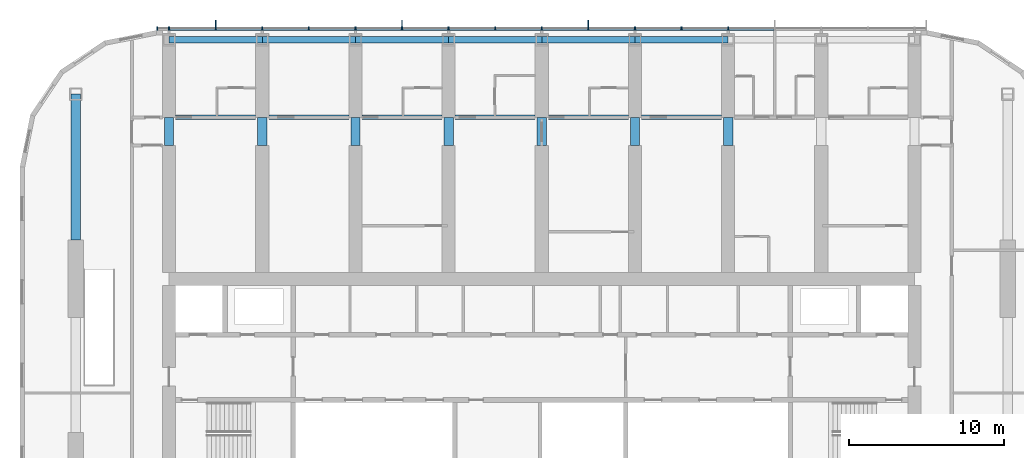
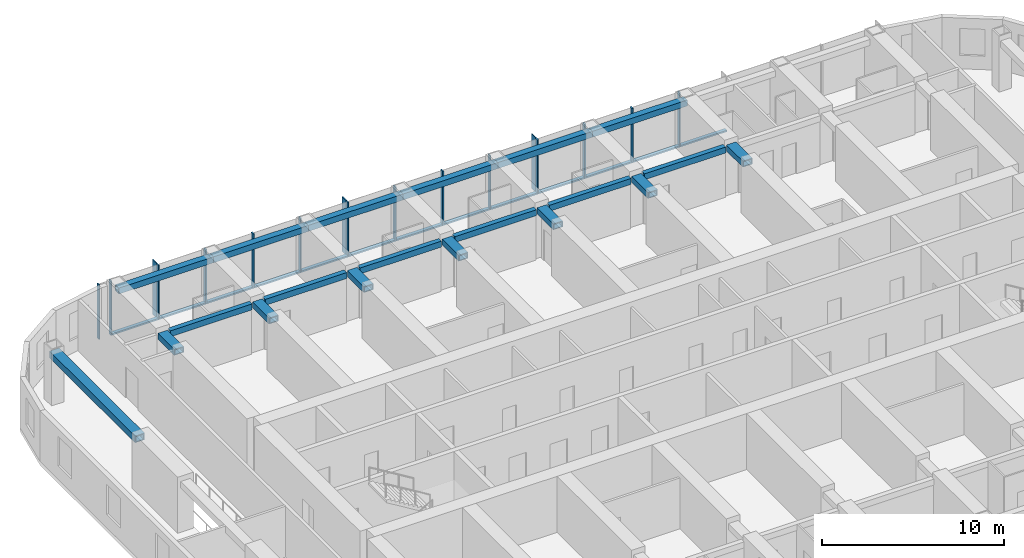
# One storey, part 4 of 22: 30 members, 20 beams, 1 element without a shape of its own.
"""IFC4 building model written with IfcOpenShell, lengths in metres."""

from ifc_helpers import new_model, si_unit, direction, frame, origin, origin_2d, place, context, subcontext, project, spatial, rectangle, hollow_rectangle, extrude, material, material_profile, profile_set, type_object, element, aggregate, save


model = new_model("IFC4")

# Units and contexts
model_context = context("Model", 3, precision=1e-05, world=origin(), true_north=direction((0.0, 1.0)))
body_context = subcontext(model_context, "Body", "Model", "MODEL_VIEW")
ifc_project = project(units=[si_unit("LENGTHUNIT", "METRE"), si_unit("AREAUNIT", "SQUARE_METRE"), si_unit("VOLUMEUNIT", "CUBIC_METRE"), si_unit("PLANEANGLEUNIT", "RADIAN"), si_unit("MASSUNIT", "GRAM", prefix="KILO")], contexts=[model_context])

# Site, building, storey
site_placement = place(None, origin())
site = spatial("IfcSite", under=ifc_project, at=site_placement, CompositionType="ELEMENT")
building_placement = place(site_placement, origin())
building = spatial("IfcBuilding", under=site, at=building_placement, Name="Orbita Commons", CompositionType="ELEMENT")
storey_placement = place(building_placement, frame((0.0, 0.0, 197.35009765625)))
storey = spatial("IfcBuildingStorey", under=building, at=storey_placement, Name="L49", CompositionType="ELEMENT", Elevation=197.35009765625)

# Curtain wall, members
ifc_material_1 = material(Name="Anodised aluminium frame, pale silver", Category="aluminium")
curtain_wall_type = type_object("IfcCurtainWallType", Name="Unitised curtain wall CW-U, full-height vision", PredefinedType="NOTDEFINED", material=ifc_material_1)
curtain_wall_placement = place(storey_placement, origin())
curtain_wall = element("IfcCurtainWall", 1, at=curtain_wall_placement, inside=storey, type_object=curtain_wall_type, Name="Curtain wall north L49", PredefinedType="NOTDEFINED")
ifc_material_2 = material(Name="Anodised aluminium, pale silver", Category="aluminium")
ifc_material_profile_1 = material_profile(ifc_material_2, rectangle(XDim=0.080078125, YDim=0.219970703125, at=origin_2d()), Name="AL 80x220")
ifc_profile_set_1 = profile_set([ifc_material_profile_1], Name="Anodised aluminium, pale silver")
member_type_1 = type_object("IfcMemberType", Name="Curtain wall mullion 80x220", PredefinedType="MULLION", material=ifc_profile_set_1)
member_1_placement = place(storey_placement, frame((54.0, 54.31005859375, -0.25), z_axis=(0.0, 0.0, 1.0), x_axis=(-1.0, 0.0, 0.0)))
member_1 = element("IfcMember", 2, at=member_1_placement, type_object=member_type_1, Name="Mullion 6 CW-L49-N", PredefinedType="MULLION", context=body_context, shape_type="SweptSolid", body=[
    extrude(rectangle(XDim=0.080078125, YDim=0.219970703125, at=origin_2d()), origin(), (0.0, 0.0, 1.0), 3.64990234375),
])
member_2_placement = place(storey_placement, frame((51.0, 54.31005859375, -0.25), z_axis=(0.0, 0.0, 1.0), x_axis=(-1.0, 0.0, 0.0)))
member_2 = element("IfcMember", 3, at=member_2_placement, type_object=member_type_1, Name="Mullion 7 CW-L49-N", PredefinedType="MULLION", context=body_context, shape_type="SweptSolid", body=[
    extrude(rectangle(XDim=0.080078125, YDim=0.219970703125, at=origin_2d()), origin(), (0.0, 0.0, 1.0), 3.64990234375),
])
member_3_placement = place(storey_placement, frame((48.0, 54.31005859375, -0.25), z_axis=(0.0, 0.0, 1.0), x_axis=(-1.0, 0.0, 0.0)))
member_3 = element("IfcMember", 4, at=member_3_placement, type_object=member_type_1, Name="Mullion 8 CW-L49-N", PredefinedType="MULLION", context=body_context, shape_type="SweptSolid", body=[
    extrude(rectangle(XDim=0.080078125, YDim=0.219970703125, at=origin_2d()), origin(), (0.0, 0.0, 1.0), 3.64990234375),
])
member_4_placement = place(storey_placement, frame((45.0, 54.31005859375, -0.25), z_axis=(0.0, 0.0, 1.0), x_axis=(-1.0, 0.0, 0.0)))
member_4 = element("IfcMember", 5, at=member_4_placement, type_object=member_type_1, Name="Mullion 9 CW-L49-N", PredefinedType="MULLION", context=body_context, shape_type="SweptSolid", body=[
    extrude(rectangle(XDim=0.080078125, YDim=0.219970703125, at=origin_2d()), origin(), (0.0, 0.0, 1.0), 3.64990234375),
])
member_5_placement = place(storey_placement, frame((42.0, 54.31005859375, -0.25), z_axis=(0.0, 0.0, 1.0), x_axis=(-1.0, 0.0, 0.0)))
member_5 = element("IfcMember", 6, at=member_5_placement, type_object=member_type_1, Name="Mullion 10 CW-L49-N", PredefinedType="MULLION", context=body_context, shape_type="SweptSolid", body=[
    extrude(rectangle(XDim=0.080078125, YDim=0.219970703125, at=origin_2d()), origin(), (0.0, 0.0, 1.0), 3.64990234375),
])
member_6_placement = place(storey_placement, frame((39.0, 54.31005859375, -0.25), z_axis=(0.0, 0.0, 1.0), x_axis=(-1.0, 0.0, 0.0)))
member_6 = element("IfcMember", 7, at=member_6_placement, type_object=member_type_1, Name="Mullion 11 CW-L49-N", PredefinedType="MULLION", context=body_context, shape_type="SweptSolid", body=[
    extrude(rectangle(XDim=0.080078125, YDim=0.219970703125, at=origin_2d()), origin(), (0.0, 0.0, 1.0), 3.64990234375),
])
member_7_placement = place(storey_placement, frame((36.0, 54.31005859375, -0.25), z_axis=(0.0, 0.0, 1.0), x_axis=(-1.0, 0.0, 0.0)))
member_7 = element("IfcMember", 8, at=member_7_placement, type_object=member_type_1, Name="Mullion 12 CW-L49-N", PredefinedType="MULLION", context=body_context, shape_type="SweptSolid", body=[
    extrude(rectangle(XDim=0.080078125, YDim=0.219970703125, at=origin_2d()), origin(), (0.0, 0.0, 1.0), 3.64990234375),
])
member_8_placement = place(storey_placement, frame((33.0, 54.31005859375, -0.25), z_axis=(0.0, 0.0, 1.0), x_axis=(-1.0, 0.0, 0.0)))
member_8 = element("IfcMember", 9, at=member_8_placement, type_object=member_type_1, Name="Mullion 13 CW-L49-N", PredefinedType="MULLION", context=body_context, shape_type="SweptSolid", body=[
    extrude(rectangle(XDim=0.080078125, YDim=0.219970703125, at=origin_2d()), origin(), (0.0, 0.0, 1.0), 3.64990234375),
])
member_9_placement = place(storey_placement, frame((30.0, 54.31005859375, -0.25), z_axis=(0.0, 0.0, 1.0), x_axis=(-1.0, 0.0, 0.0)))
member_9 = element("IfcMember", 10, at=member_9_placement, type_object=member_type_1, Name="Mullion 14 CW-L49-N", PredefinedType="MULLION", context=body_context, shape_type="SweptSolid", body=[
    extrude(rectangle(XDim=0.080078125, YDim=0.219970703125, at=origin_2d()), origin(), (0.0, 0.0, 1.0), 3.64990234375),
])
member_10_placement = place(storey_placement, frame((27.0, 54.31005859375, -0.25), z_axis=(0.0, 0.0, 1.0), x_axis=(-1.0, 0.0, 0.0)))
member_10 = element("IfcMember", 11, at=member_10_placement, type_object=member_type_1, Name="Mullion 15 CW-L49-N", PredefinedType="MULLION", context=body_context, shape_type="SweptSolid", body=[
    extrude(rectangle(XDim=0.080078125, YDim=0.219970703125, at=origin_2d()), origin(), (0.0, 0.0, 1.0), 3.64990234375),
])
member_11_placement = place(storey_placement, frame((24.0, 54.31005859375, -0.25), z_axis=(0.0, 0.0, 1.0), x_axis=(-1.0, 0.0, 0.0)))
member_11 = element("IfcMember", 12, at=member_11_placement, type_object=member_type_1, Name="Mullion 16 CW-L49-N", PredefinedType="MULLION", context=body_context, shape_type="SweptSolid", body=[
    extrude(rectangle(XDim=0.080078125, YDim=0.219970703125, at=origin_2d()), origin(), (0.0, 0.0, 1.0), 3.64990234375),
])
member_12_placement = place(storey_placement, frame((21.0, 54.31005859375, -0.25), z_axis=(0.0, 0.0, 1.0), x_axis=(-1.0, 0.0, 0.0)))
member_12 = element("IfcMember", 13, at=member_12_placement, type_object=member_type_1, Name="Mullion 17 CW-L49-N", PredefinedType="MULLION", context=body_context, shape_type="SweptSolid", body=[
    extrude(rectangle(XDim=0.080078125, YDim=0.219970703125, at=origin_2d()), origin(), (0.0, 0.0, 1.0), 3.64990234375),
])
member_13_placement = place(storey_placement, frame((18.0, 54.31005859375, -0.25), z_axis=(0.0, 0.0, 1.0), x_axis=(-1.0, 0.0, 0.0)))
member_13 = element("IfcMember", 14, at=member_13_placement, type_object=member_type_1, Name="Mullion 18 CW-L49-N", PredefinedType="MULLION", context=body_context, shape_type="SweptSolid", body=[
    extrude(rectangle(XDim=0.080078125, YDim=0.219970703125, at=origin_2d()), origin(), (0.0, 0.0, 1.0), 3.64990234375),
])
member_14_placement = place(storey_placement, frame((17.239990234375, 54.31005859375, -0.25), z_axis=(0.0, 0.0, 1.0), x_axis=(-1.0, 0.0, 0.0)))
member_14 = element("IfcMember", 15, at=member_14_placement, type_object=member_type_1, Name="Mullion 19 CW-L49-N", PredefinedType="MULLION", context=body_context, shape_type="SweptSolid", body=[
    extrude(rectangle(XDim=0.080078125, YDim=0.219970703125, at=origin_2d()), origin(), (0.0, 0.0, 1.0), 3.64990234375),
])
ifc_material_3 = material(Name="Anodised aluminium, pale silver", Category="aluminium")
ifc_material_profile_2 = material_profile(ifc_material_3, rectangle(XDim=0.219970703125, YDim=0.10009765625, at=origin_2d()), Name="AL 220x100")
ifc_profile_set_2 = profile_set([ifc_material_profile_2], Name="Anodised aluminium, pale silver")
member_type_2 = type_object("IfcMemberType", Name="Curtain wall stack transom 220x100", PredefinedType="USERDEFINED", material=ifc_profile_set_2)
member_15_placement = place(storey_placement, frame((56.9599609375, 54.31005859375, -0.2001953125), z_axis=(-1.0, 0.0, 0.0), x_axis=(0.0, -1.0, 0.0)))
member_15 = element("IfcMember", 16, at=member_15_placement, type_object=member_type_2, Name="Transom 5.1 CW-L49-N", ObjectType="TRANSOM", PredefinedType="USERDEFINED", context=body_context, shape_type="SweptSolid", body=[
    extrude(rectangle(XDim=0.219970703125, YDim=0.10009765625, at=origin_2d()), origin(), (0.0, 0.0, 1.0), 2.919921875),
])
member_16_placement = place(storey_placement, frame((53.9599609375, 54.31005859375, -0.2001953125), z_axis=(-1.0, 0.0, 0.0), x_axis=(0.0, -1.0, 0.0)))
member_16 = element("IfcMember", 17, at=member_16_placement, type_object=member_type_2, Name="Transom 6.1 CW-L49-N", ObjectType="TRANSOM", PredefinedType="USERDEFINED", context=body_context, shape_type="SweptSolid", body=[
    extrude(rectangle(XDim=0.219970703125, YDim=0.10009765625, at=origin_2d()), origin(), (0.0, 0.0, 1.0), 2.919921875),
])
member_17_placement = place(storey_placement, frame((50.9599609375, 54.31005859375, -0.2001953125), z_axis=(-1.0, 0.0, 0.0), x_axis=(0.0, -1.0, 0.0)))
member_17 = element("IfcMember", 18, at=member_17_placement, type_object=member_type_2, Name="Transom 7.1 CW-L49-N", ObjectType="TRANSOM", PredefinedType="USERDEFINED", context=body_context, shape_type="SweptSolid", body=[
    extrude(rectangle(XDim=0.219970703125, YDim=0.10009765625, at=origin_2d()), origin(), (0.0, 0.0, 1.0), 2.919921875),
])
member_18_placement = place(storey_placement, frame((47.9599609375, 54.31005859375, -0.2001953125), z_axis=(-1.0, 0.0, 0.0), x_axis=(0.0, -1.0, 0.0)))
member_18 = element("IfcMember", 19, at=member_18_placement, type_object=member_type_2, Name="Transom 8.1 CW-L49-N", ObjectType="TRANSOM", PredefinedType="USERDEFINED", context=body_context, shape_type="SweptSolid", body=[
    extrude(rectangle(XDim=0.219970703125, YDim=0.10009765625, at=origin_2d()), origin(), (0.0, 0.0, 1.0), 2.919921875),
])
member_19_placement = place(storey_placement, frame((44.9599609375, 54.31005859375, -0.2001953125), z_axis=(-1.0, 0.0, 0.0), x_axis=(0.0, -1.0, 0.0)))
member_19 = element("IfcMember", 20, at=member_19_placement, type_object=member_type_2, Name="Transom 9.1 CW-L49-N", ObjectType="TRANSOM", PredefinedType="USERDEFINED", context=body_context, shape_type="SweptSolid", body=[
    extrude(rectangle(XDim=0.219970703125, YDim=0.10009765625, at=origin_2d()), origin(), (0.0, 0.0, 1.0), 2.919921875),
])
member_20_placement = place(storey_placement, frame((41.9599609375, 54.31005859375, -0.2001953125), z_axis=(-1.0, 0.0, 0.0), x_axis=(0.0, -1.0, 0.0)))
member_20 = element("IfcMember", 21, at=member_20_placement, type_object=member_type_2, Name="Transom 10.1 CW-L49-N", ObjectType="TRANSOM", PredefinedType="USERDEFINED", context=body_context, shape_type="SweptSolid", body=[
    extrude(rectangle(XDim=0.219970703125, YDim=0.10009765625, at=origin_2d()), origin(), (0.0, 0.0, 1.0), 2.919921875),
])
member_21_placement = place(storey_placement, frame((38.9599609375, 54.31005859375, -0.2001953125), z_axis=(-1.0, 0.0, 0.0), x_axis=(0.0, -1.0, 0.0)))
member_21 = element("IfcMember", 22, at=member_21_placement, type_object=member_type_2, Name="Transom 11.1 CW-L49-N", ObjectType="TRANSOM", PredefinedType="USERDEFINED", context=body_context, shape_type="SweptSolid", body=[
    extrude(rectangle(XDim=0.219970703125, YDim=0.10009765625, at=origin_2d()), origin(), (0.0, 0.0, 1.0), 2.919921875),
])
member_22_placement = place(storey_placement, frame((35.9599609375, 54.31005859375, -0.2001953125), z_axis=(-1.0, 0.0, 0.0), x_axis=(0.0, -1.0, 0.0)))
member_22 = element("IfcMember", 23, at=member_22_placement, type_object=member_type_2, Name="Transom 12.1 CW-L49-N", ObjectType="TRANSOM", PredefinedType="USERDEFINED", context=body_context, shape_type="SweptSolid", body=[
    extrude(rectangle(XDim=0.219970703125, YDim=0.10009765625, at=origin_2d()), origin(), (0.0, 0.0, 1.0), 2.919921875),
])
member_23_placement = place(storey_placement, frame((32.9599609375, 54.31005859375, -0.2001953125), z_axis=(-1.0, 0.0, 0.0), x_axis=(0.0, -1.0, 0.0)))
member_23 = element("IfcMember", 24, at=member_23_placement, type_object=member_type_2, Name="Transom 13.1 CW-L49-N", ObjectType="TRANSOM", PredefinedType="USERDEFINED", context=body_context, shape_type="SweptSolid", body=[
    extrude(rectangle(XDim=0.219970703125, YDim=0.10009765625, at=origin_2d()), origin(), (0.0, 0.0, 1.0), 2.919921875),
])
member_24_placement = place(storey_placement, frame((29.9599609375, 54.31005859375, -0.2001953125), z_axis=(-1.0, 0.0, 0.0), x_axis=(0.0, -1.0, 0.0)))
member_24 = element("IfcMember", 25, at=member_24_placement, type_object=member_type_2, Name="Transom 14.1 CW-L49-N", ObjectType="TRANSOM", PredefinedType="USERDEFINED", context=body_context, shape_type="SweptSolid", body=[
    extrude(rectangle(XDim=0.219970703125, YDim=0.10009765625, at=origin_2d()), origin(), (0.0, 0.0, 1.0), 2.919921875),
])
member_25_placement = place(storey_placement, frame((26.9599609375, 54.31005859375, -0.2001953125), z_axis=(-1.0, 0.0, 0.0), x_axis=(0.0, -1.0, 0.0)))
member_25 = element("IfcMember", 26, at=member_25_placement, type_object=member_type_2, Name="Transom 15.1 CW-L49-N", ObjectType="TRANSOM", PredefinedType="USERDEFINED", context=body_context, shape_type="SweptSolid", body=[
    extrude(rectangle(XDim=0.219970703125, YDim=0.10009765625, at=origin_2d()), origin(), (0.0, 0.0, 1.0), 2.919921875),
])
member_26_placement = place(storey_placement, frame((23.9599609375, 54.31005859375, -0.2001953125), z_axis=(-1.0, 0.0, 0.0), x_axis=(0.0, -1.0, 0.0)))
member_26 = element("IfcMember", 27, at=member_26_placement, type_object=member_type_2, Name="Transom 16.1 CW-L49-N", ObjectType="TRANSOM", PredefinedType="USERDEFINED", context=body_context, shape_type="SweptSolid", body=[
    extrude(rectangle(XDim=0.219970703125, YDim=0.10009765625, at=origin_2d()), origin(), (0.0, 0.0, 1.0), 2.919921875),
])
member_27_placement = place(storey_placement, frame((20.9599609375, 54.31005859375, -0.2001953125), z_axis=(-1.0, 0.0, 0.0), x_axis=(0.0, -1.0, 0.0)))
member_27 = element("IfcMember", 28, at=member_27_placement, type_object=member_type_2, Name="Transom 17.1 CW-L49-N", ObjectType="TRANSOM", PredefinedType="USERDEFINED", context=body_context, shape_type="SweptSolid", body=[
    extrude(rectangle(XDim=0.219970703125, YDim=0.10009765625, at=origin_2d()), origin(), (0.0, 0.0, 1.0), 2.919921875),
])

# Beams
ifc_material_4 = material(Name="Steel ASTM A572 Gr 50 welded plate", Category="steel")
ifc_material_profile_3 = material_profile(ifc_material_4, hollow_rectangle(XDim=0.300048828125, YDim=0.39990234375, WallThickness=0.0400390625, at=origin_2d()), Name="BOX 400x300x40")
ifc_profile_set_3 = profile_set([ifc_material_profile_3], Name="Steel ASTM A572 Gr 50 welded plate")
beam_type_1 = type_object("IfcBeamType", Name="Steel corridor link BOX 400x300x40", PredefinedType="BEAM", material=ifc_profile_set_3)
for number, where, z_axis, x_axis, name in (
    (29, (18.425048828125, 48.60009765625, 3.199951171875), (1.0, 0.0, 0.0), (0.0, 1.0, 0.0), "Corridor beam NB 4-5 L49"),
    (30, (24.425048828125, 48.60009765625, 3.199951171875), (1.0, 0.0, 0.0), (0.0, 1.0, 0.0), "Corridor beam NB 5-6 L49"),
    (31, (30.425048828125, 48.60009765625, 3.199951171875), (1.0, 0.0, 0.0), (0.0, 1.0, 0.0), "Corridor beam NB 6-7 L49"),
    (32, (36.425048828125, 48.60009765625, 3.199951171875), (1.0, 0.0, 0.0), (0.0, 1.0, 0.0), "Corridor beam NB 7-8 L49"),
    (33, (42.425048828125, 48.60009765625, 3.199951171875), (1.0, 0.0, 0.0), (0.0, 1.0, 0.0), "Corridor beam NB 8-9 L49"),
    (34, (48.425048828125, 48.60009765625, 3.199951171875), (1.0, 0.0, 0.0), (0.0, 1.0, 0.0), "Corridor beam NB 9-10 L49"),
):
    element("IfcBeam", number, at=place(storey_placement, frame(where, z_axis=z_axis, x_axis=x_axis)), inside=storey, type_object=beam_type_1, Name=name, PredefinedType="BEAM", context=body_context, shape_type="SweptSolid", body=[
        extrude(hollow_rectangle(XDim=0.300048828125, YDim=0.39990234375, WallThickness=0.0400390625, at=origin_2d()), origin(), (0.0, 0.0, 1.0), 5.14990234375),
    ])
ifc_material_5 = material(Name="Steel ASTM A572 Gr 50 welded plate", Category="steel")
ifc_material_profile_4 = material_profile(ifc_material_5, hollow_rectangle(XDim=0.60009765625, YDim=0.39990234375, WallThickness=0.050048828125, at=origin_2d()), Name="BOX 400x600x50")
ifc_profile_set_4 = profile_set([ifc_material_profile_4], Name="Steel ASTM A572 Gr 50 welded plate")
beam_type_2 = type_object("IfcBeamType", Name="Steel coupling link BOX 400x600x50", PredefinedType="LINTEL", material=ifc_profile_set_4)
for number, where, z_axis, x_axis, name in (
    (35, (18.0, 46.800048828125, 3.199951171875), (0.0, 1.0, 0.0), (-1.0, 0.0, 0.0), "Coupling beam 4 north L49"),
    (36, (24.0, 46.800048828125, 3.199951171875), (0.0, 1.0, 0.0), (-1.0, 0.0, 0.0), "Coupling beam 5 north L49"),
    (37, (30.0, 46.800048828125, 3.199951171875), (0.0, 1.0, 0.0), (-1.0, 0.0, 0.0), "Coupling beam 6 north L49"),
    (38, (36.0, 46.800048828125, 3.199951171875), (0.0, 1.0, 0.0), (-1.0, 0.0, 0.0), "Coupling beam 7 north L49"),
    (39, (42.0, 46.800048828125, 3.199951171875), (0.0, 1.0, 0.0), (-1.0, 0.0, 0.0), "Coupling beam 8 north L49"),
    (40, (48.0, 46.800048828125, 3.199951171875), (0.0, 1.0, 0.0), (-1.0, 0.0, 0.0), "Coupling beam 9 north L49"),
    (41, (54.0, 46.800048828125, 3.199951171875), (0.0, 1.0, 0.0), (-1.0, 0.0, 0.0), "Coupling beam 10 north L49"),
):
    element("IfcBeam", number, at=place(storey_placement, frame(where, z_axis=z_axis, x_axis=x_axis)), inside=storey, type_object=beam_type_2, Name=name, PredefinedType="LINTEL", context=body_context, shape_type="SweptSolid", body=[
        extrude(hollow_rectangle(XDim=0.60009765625, YDim=0.39990234375, WallThickness=0.050048828125, at=origin_2d()), origin(), (0.0, 0.0, 1.0), 1.800048828125),
    ])
ifc_material_6 = material(Name="Steel ASTM A572 Gr 50 welded plate", Category="steel")
ifc_material_profile_5 = material_profile(ifc_material_6, hollow_rectangle(XDim=0.60009765625, YDim=0.449951171875, WallThickness=0.06005859375, at=origin_2d()), Name="BOX 450x600x60")
ifc_profile_set_5 = profile_set([ifc_material_profile_5], Name="Steel ASTM A572 Gr 50 welded plate")
beam_type_3 = type_object("IfcBeamType", Name="Steel end frame link BOX 450x600x60", PredefinedType="BEAM", material=ifc_profile_set_5)
beam_placement = place(storey_placement, frame((12.0, 40.699951171875, 3.1748046875), z_axis=(0.0, 1.0, 0.0), x_axis=(-1.0, 0.0, 0.0)))
element("IfcBeam", 42, at=beam_placement, inside=storey, type_object=beam_type_3, Name="End frame beam 3 D-E L49", PredefinedType="BEAM", context=body_context, shape_type="SweptSolid", body=[
    extrude(hollow_rectangle(XDim=0.60009765625, YDim=0.449951171875, WallThickness=0.06005859375, at=origin_2d()), origin(), (0.0, 0.0, 1.0), 9.400146484375),
])
ifc_material_7 = material(Name="Steel ASTM A572 Gr 50 welded plate", Category="steel")
ifc_material_profile_6 = material_profile(ifc_material_7, hollow_rectangle(XDim=0.39990234375, YDim=0.39990234375, WallThickness=0.0400390625, at=origin_2d()), Name="BOX 400x400x40")
ifc_profile_set_6 = profile_set([ifc_material_profile_6], Name="Steel ASTM A572 Gr 50 welded plate")
beam_type_4 = type_object("IfcBeamType", Name="Steel spandrel BOX 400x400x40", PredefinedType="SPANDREL", material=ifc_profile_set_6)
for number, where, z_axis, x_axis, name in (
    (43, (18.0, 53.60009765625, 3.199951171875), (1.0, 0.0, 0.0), (0.0, 1.0, 0.0), "Spandrel beam E 4-5 L49"),
    (44, (24.0, 53.60009765625, 3.199951171875), (1.0, 0.0, 0.0), (0.0, 1.0, 0.0), "Spandrel beam E 5-6 L49"),
    (45, (30.0, 53.60009765625, 3.199951171875), (1.0, 0.0, 0.0), (0.0, 1.0, 0.0), "Spandrel beam E 6-7 L49"),
    (46, (36.0, 53.60009765625, 3.199951171875), (1.0, 0.0, 0.0), (0.0, 1.0, 0.0), "Spandrel beam E 7-8 L49"),
    (47, (42.0, 53.60009765625, 3.199951171875), (1.0, 0.0, 0.0), (0.0, 1.0, 0.0), "Spandrel beam E 8-9 L49"),
    (48, (48.0, 53.60009765625, 3.199951171875), (1.0, 0.0, 0.0), (0.0, 1.0, 0.0), "Spandrel beam E 9-10 L49"),
):
    element("IfcBeam", number, at=place(storey_placement, frame(where, z_axis=z_axis, x_axis=x_axis)), inside=storey, type_object=beam_type_4, Name=name, PredefinedType="SPANDREL", context=body_context, shape_type="SweptSolid", body=[
        extrude(hollow_rectangle(XDim=0.39990234375, YDim=0.39990234375, WallThickness=0.0400390625, at=origin_2d()), origin(), (0.0, 0.0, 1.0), 6.0),
    ])

# Member
ifc_material_8 = material(Name="Anodised aluminium, pale silver", Category="aluminium")
ifc_material_profile_7 = material_profile(ifc_material_8, rectangle(XDim=0.06005859375, YDim=0.449951171875, at=origin_2d()), Name="FIN 60x450")
ifc_profile_set_7 = profile_set([ifc_material_profile_7], Name="Anodised aluminium, pale silver")
member_type_3 = type_object("IfcMemberType", Name="Vertical fin 60x450 pale aluminium", PredefinedType="USERDEFINED", material=ifc_profile_set_7)
member_28_placement = place(storey_placement, frame((45.0, 54.64501953125, -0.25), z_axis=(0.0, 0.0, 1.0), x_axis=(-1.0, 0.0, 0.0)))
member_28 = element("IfcMember", 49, at=member_28_placement, type_object=member_type_3, Name="Fin 9 CW-L49-N", ObjectType="FIN", PredefinedType="USERDEFINED", context=body_context, shape_type="SweptSolid", body=[
    extrude(rectangle(XDim=0.06005859375, YDim=0.449951171875, at=origin_2d()), origin(), (0.0, 0.0, 1.0), 3.64990234375),
])

member_29_placement = place(storey_placement, frame((33.0, 54.64501953125, -0.25), z_axis=(0.0, 0.0, 1.0), x_axis=(-1.0, 0.0, 0.0)))
member_29 = element("IfcMember", 50, at=member_29_placement, type_object=member_type_3, Name="Fin 13 CW-L49-N", ObjectType="FIN", PredefinedType="USERDEFINED", context=body_context, shape_type="SweptSolid", body=[
    extrude(rectangle(XDim=0.06005859375, YDim=0.449951171875, at=origin_2d()), origin(), (0.0, 0.0, 1.0), 3.64990234375),
])

member_30_placement = place(storey_placement, frame((21.0, 54.64501953125, -0.25), z_axis=(0.0, 0.0, 1.0), x_axis=(-1.0, 0.0, 0.0)))
member_30 = element("IfcMember", 51, at=member_30_placement, type_object=member_type_3, Name="Fin 17 CW-L49-N", ObjectType="FIN", PredefinedType="USERDEFINED", context=body_context, shape_type="SweptSolid", body=[
    extrude(rectangle(XDim=0.06005859375, YDim=0.449951171875, at=origin_2d()), origin(), (0.0, 0.0, 1.0), 3.64990234375),
])

aggregate(curtain_wall, [member_1, member_2, member_3, member_4, member_28, member_5, member_6, member_7, member_8, member_29, member_9, member_10, member_11, member_12, member_30, member_13, member_14, member_15, member_16, member_17, member_18, member_19, member_20, member_21, member_22, member_23, member_24, member_25, member_26, member_27])

save(model, "model.ifc")
